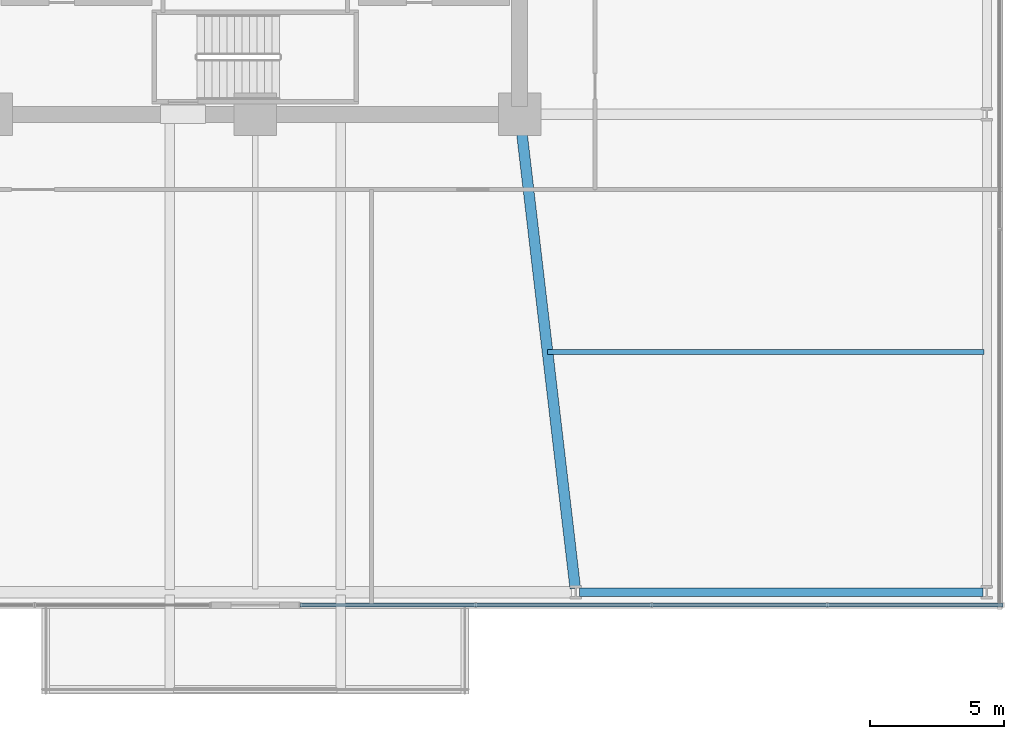
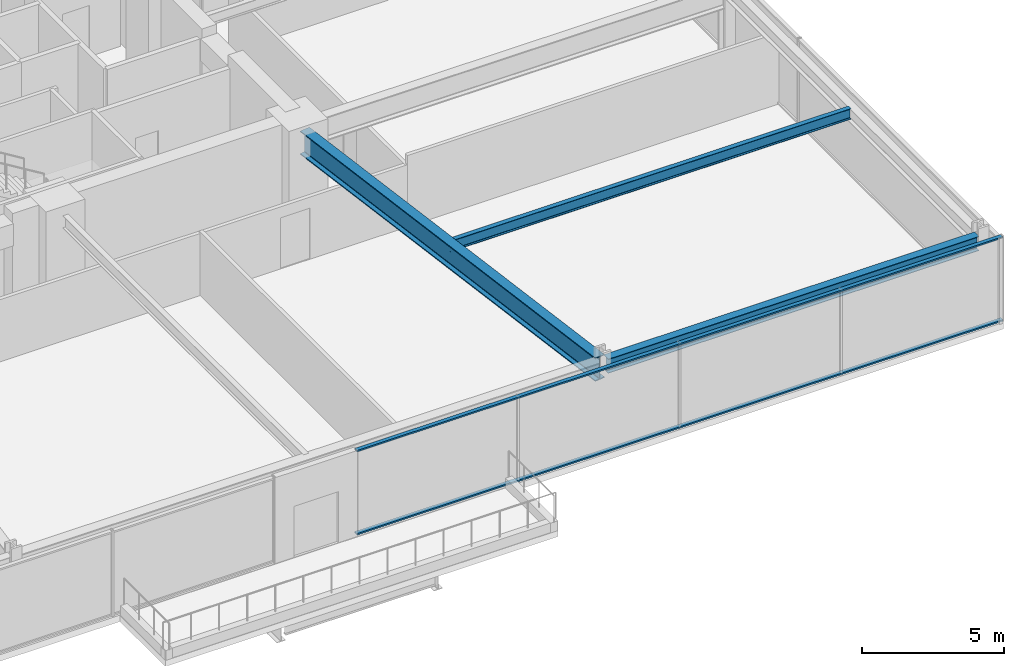
# One storey, part 14 of 39: 3 beams, 2 members, 1 element without a shape of its own.
"""IFC4 building model written with IfcOpenShell, lengths in metres."""

from ifc_helpers import new_model, si_unit, direction, frame, origin, origin_2d, place, context, subcontext, project, spatial, hollow_rectangle, i_section, extrude, material, material_profile, profile_set, type_object, element, aggregate, save


model = new_model("IFC4")

# Units and contexts
model_context = context("Model", 3, precision=1e-05, world=origin(), true_north=direction((0.0, 1.0)))
body_context = subcontext(model_context, "Body", "Model", "MODEL_VIEW")
ifc_project = project(units=[si_unit("LENGTHUNIT", "METRE"), si_unit("AREAUNIT", "SQUARE_METRE"), si_unit("VOLUMEUNIT", "CUBIC_METRE"), si_unit("PLANEANGLEUNIT", "RADIAN"), si_unit("MASSUNIT", "GRAM", prefix="KILO")], contexts=[model_context])

# Site, building, storey
site_placement = place(None, origin())
site = spatial("IfcSite", under=ifc_project, at=site_placement, CompositionType="ELEMENT")
building_placement = place(site_placement, origin())
building = spatial("IfcBuilding", under=site, at=building_placement, Name="Kolvaren Belvedere", CompositionType="ELEMENT")
storey_placement = place(building_placement, frame((0.0, 0.0, 15.199951171875)))
storey = spatial("IfcBuildingStorey", under=building, at=storey_placement, Name="L04", CompositionType="ELEMENT", Elevation=15.199951171875)

# Beams
ifc_material_1 = material(Name="Structural steel ASTM A992 Grade 50", Category="steel")
ifc_material_profile_1 = material_profile(ifc_material_1, i_section(OverallWidth=0.40087890625, OverallDepth=1.010986328125, WebThickness=0.023681640625, FlangeThickness=0.0419921875, FilletRadius=0.030029296875, at=origin_2d()), Name="W40X297")
ifc_profile_set_1 = profile_set([ifc_material_profile_1], Name="Structural steel ASTM A992 Grade 50")
beam_type_1 = type_object("IfcBeamType", Name="BM-BALL-W40X297", PredefinedType="BEAM", material=ifc_profile_set_1)
beam_1_placement = place(storey_placement, frame((9.952392578125, -10.346923828125, 3.194580078125), z_axis=(0.116516841483, -0.993188716031, 0.0), x_axis=(0.993188716031, 0.116516841483, 0.0)))
element("IfcBeam", 1, at=beam_1_placement, inside=storey, type_object=beam_type_1, Name="L04 South-East Portal Girder", PredefinedType="BEAM", context=body_context, shape_type="SweptSolid", body=[
    extrude(i_section(OverallWidth=0.40087890625, OverallDepth=1.010986328125, WebThickness=0.023681640625, FlangeThickness=0.0419921875, FilletRadius=0.030029296875, at=origin_2d()), origin(), (0.0, 0.0, 1.0), 17.422607421875),
])
ifc_material_2 = material(Name="Structural steel ASTM A992 Grade 50", Category="steel")
ifc_material_profile_2 = material_profile(ifc_material_2, i_section(OverallWidth=0.19091796875, OverallDepth=0.4599609375, WebThickness=0.010009765625, FlangeThickness=0.01611328125, FilletRadius=0.014892578125, at=origin_2d()), Name="W18X55")
ifc_profile_set_2 = profile_set([ifc_material_profile_2], Name="Structural steel ASTM A992 Grade 50")
beam_type_2 = type_object("IfcBeamType", Name="BM-JOIST-W18X55", PredefinedType="BEAM", material=ifc_profile_set_2)
beam_2_placement = place(storey_placement, frame((10.93994140625, -18.800048828125, 3.469970703125), z_axis=(1.0, 0.0, 0.0), x_axis=(0.0, 1.0, 0.0)))
element("IfcBeam", 2, at=beam_2_placement, inside=storey, type_object=beam_type_2, Name="L04 East Bay Floor Beam", PredefinedType="BEAM", context=body_context, shape_type="SweptSolid", body=[
    extrude(i_section(OverallWidth=0.19091796875, OverallDepth=0.4599609375, WebThickness=0.010009765625, FlangeThickness=0.01611328125, FilletRadius=0.014892578125, at=origin_2d()), origin(), (0.0, 0.0, 1.0), 16.340087890625),
])
ifc_material_3 = material(Name="Structural steel ASTM A992 Grade 50", Category="steel")
ifc_material_profile_3 = material_profile(ifc_material_3, i_section(OverallWidth=0.324951171875, OverallDepth=0.615966796875, WebThickness=0.013916015625, FlangeThickness=0.021484375, FilletRadius=0.02001953125, at=origin_2d()), Name="W24X117")
ifc_profile_set_3 = profile_set([ifc_material_profile_3], Name="Structural steel ASTM A992 Grade 50")
beam_type_3 = type_object("IfcBeamType", Name="BM-SPAN-W24X117", PredefinedType="SPANDREL", material=ifc_profile_set_3)
beam_3_placement = place(storey_placement, frame((12.14990234375, -27.800048828125, 3.39208984375), z_axis=(1.0, 0.0, 0.0), x_axis=(0.0, 1.0, 0.0)))
element("IfcBeam", 3, at=beam_3_placement, inside=storey, type_object=beam_type_3, Name="L04 South Podium Spandrel 3", PredefinedType="SPANDREL", context=body_context, shape_type="SweptSolid", body=[
    extrude(i_section(OverallWidth=0.324951171875, OverallDepth=0.615966796875, WebThickness=0.013916015625, FlangeThickness=0.021484375, FilletRadius=0.02001953125, at=origin_2d()), origin(), (0.0, 0.0, 1.0), 15.10009765625),
])

# Curtain wall, members
ifc_material_4 = material(Name="Anodised pale-metal aluminium AA 6063-T6", Category="aluminium")
curtain_wall_type = type_object("IfcCurtainWallType", Name="CW-POD-A", PredefinedType="NOTDEFINED", material=ifc_material_4)
curtain_wall_placement = place(storey_placement, origin())
curtain_wall = element("IfcCurtainWall", 4, at=curtain_wall_placement, inside=storey, type_object=curtain_wall_type, Name="L04 Unitised Curtain Wall FCW-L04-S1", PredefinedType="NOTDEFINED")
ifc_material_5 = material(Name="Anodised pale-metal aluminium AA 6063-T6", Category="aluminium")
ifc_material_profile_4 = material_profile(ifc_material_5, hollow_rectangle(XDim=0.06494140625, YDim=0.159912109375, WallThickness=0.00390625, at=origin_2d()), Name="ALU-TRN-160X65")
ifc_profile_set_4 = profile_set([ifc_material_profile_4], Name="Anodised pale-metal aluminium AA 6063-T6")
member_type = type_object("IfcMemberType", Name="CW-TRN-160", PredefinedType="USERDEFINED", material=ifc_profile_set_4)
member_1_placement = place(storey_placement, frame((28.0, -28.280029296875, 0.06005859375), z_axis=(-1.0, 0.0, 0.0), x_axis=(0.0, 0.0, 1.0)))
member_1 = element("IfcMember", 5, at=member_1_placement, type_object=member_type, Name="FCW-L04-S1 Sill Transom", ObjectType="TRANSOM", PredefinedType="USERDEFINED", context=body_context, shape_type="SweptSolid", body=[
    extrude(hollow_rectangle(XDim=0.06494140625, YDim=0.159912109375, WallThickness=0.00390625, at=origin_2d()), origin(), (0.0, 0.0, 1.0), 26.320068359375),
])
member_2_placement = place(storey_placement, frame((28.0, -28.280029296875, 3.64013671875), z_axis=(-1.0, 0.0, 0.0), x_axis=(0.0, 0.0, 1.0)))
member_2 = element("IfcMember", 6, at=member_2_placement, type_object=member_type, Name="FCW-L04-S1 Head Transom", ObjectType="TRANSOM", PredefinedType="USERDEFINED", context=body_context, shape_type="SweptSolid", body=[
    extrude(hollow_rectangle(XDim=0.06494140625, YDim=0.159912109375, WallThickness=0.00390625, at=origin_2d()), origin(), (0.0, 0.0, 1.0), 26.320068359375),
])
aggregate(curtain_wall, [member_1, member_2])

save(model, "model.ifc")
